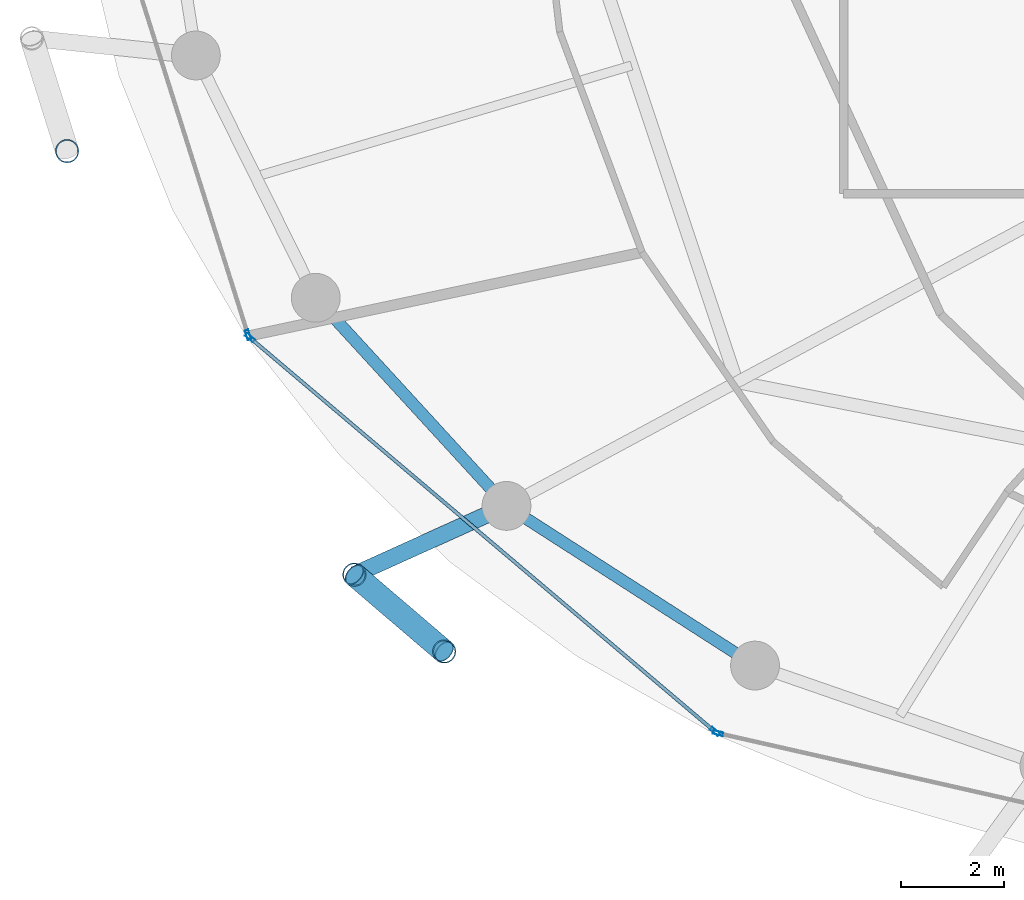
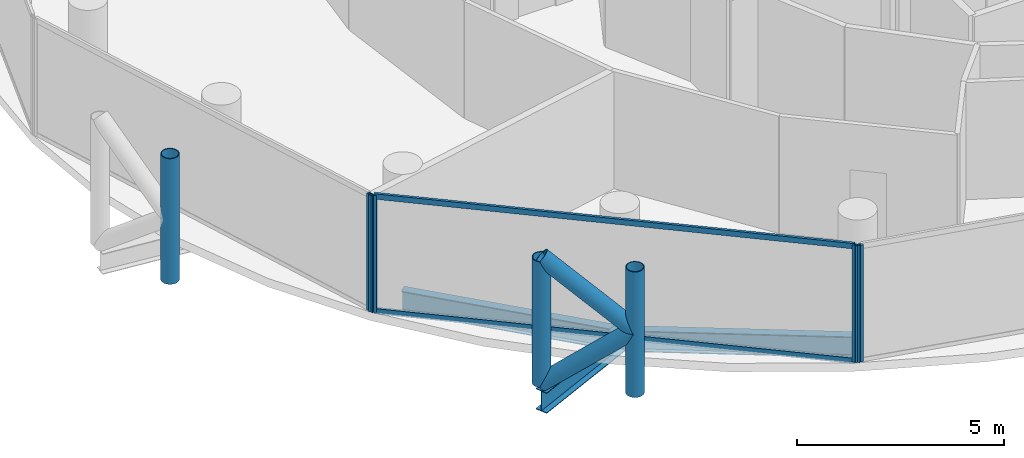
# One storey, part 2 of 26: 11 members, 3 beams, 3 elements without a shape of their own.
"""IFC4 building model written with IfcOpenShell, lengths in metres."""

from ifc_helpers import new_model, si_unit, direction, frame, origin, origin_2d, place, context, subcontext, project, spatial, hollow_rectangle, hollow_circle, i_section, extrude, material, layer, layer_set, material_profile, profile_set, type_object, element, aggregate, save


model = new_model("IFC4")

# Units and contexts
model_context = context("Model", 3, precision=1e-05, world=origin(), true_north=direction((0.0, 1.0)))
body_context = subcontext(model_context, "Body", "Model", "MODEL_VIEW")
ifc_project = project(units=[si_unit("LENGTHUNIT", "METRE"), si_unit("AREAUNIT", "SQUARE_METRE"), si_unit("VOLUMEUNIT", "CUBIC_METRE"), si_unit("PLANEANGLEUNIT", "RADIAN"), si_unit("MASSUNIT", "GRAM", prefix="KILO")], contexts=[model_context])

# Site, building, storey
site_placement = place(None, origin())
site = spatial("IfcSite", under=ifc_project, at=site_placement, CompositionType="ELEMENT")
building_placement = place(site_placement, origin())
building = spatial("IfcBuilding", under=site, at=building_placement, Name="Nuhasar Tower", CompositionType="ELEMENT")
storey_placement = place(building_placement, frame((0.0, 0.0, 188.550048828125)))
storey = spatial("IfcBuildingStorey", under=building, at=storey_placement, Name="L46", CompositionType="ELEMENT", Elevation=188.550048828125)

# Beams
ifc_material_1 = material(Name="Steel S355", Category="steel")
ifc_material_profile_1 = material_profile(ifc_material_1, i_section(OverallWidth=0.22998046875, OverallDepth=0.616943359375, WebThickness=0.01318359375, FlangeThickness=0.022216796875, at=origin_2d()), Name="W24X94")
ifc_profile_set_1 = profile_set([ifc_material_profile_1], Name="Steel S355")
beam_type_1 = type_object("IfcBeamType", Name="BM-RING-W24X94", PredefinedType="SPANDREL", material=ifc_profile_set_1)
beam_1_placement = place(storey_placement, frame((18.778076171875, 17.02490234375, -0.55810546875), z_axis=(0.675676316545, -0.737198423262, 0.0), x_axis=(0.737198423262, 0.675676316545, 0.0)))
element("IfcBeam", 1, at=beam_1_placement, inside=storey, type_object=beam_type_1, Name="L46 Perimeter Ring Spandrel 15", PredefinedType="SPANDREL", context=body_context, shape_type="SweptSolid", body=[
    extrude(i_section(OverallWidth=0.22998046875, OverallDepth=0.616943359375, WebThickness=0.01318359375, FlangeThickness=0.022216796875, at=origin_2d()), origin(), (0.0, 0.0, 1.0), 5.4921875),
])
beam_2_placement = place(storey_placement, frame((22.489013671875, 12.97607421875, -0.55810546875), z_axis=(0.841308170616, -0.540555789955, 0.0), x_axis=(0.540555789955, 0.841308170616, 0.0)))
element("IfcBeam", 2, at=beam_2_placement, inside=storey, type_object=beam_type_1, Name="L46 Perimeter Ring Spandrel 16", PredefinedType="SPANDREL", context=body_context, shape_type="SweptSolid", body=[
    extrude(i_section(OverallWidth=0.22998046875, OverallDepth=0.616943359375, WebThickness=0.01318359375, FlangeThickness=0.022216796875, at=origin_2d()), origin(), (0.0, 0.0, 1.0), 5.748046875),
])
ifc_material_profile_2 = material_profile(ifc_material_1, i_section(OverallWidth=0.323974609375, OverallDepth=0.611083984375, WebThickness=0.0126953125, FlangeThickness=0.01904296875, at=origin_2d()), Name="W24X104")
ifc_profile_set_2 = profile_set([ifc_material_profile_2], Name="Steel S355")
beam_type_2 = type_object("IfcBeamType", Name="BM-TIE-W24X104", PredefinedType="BEAM", material=ifc_profile_set_2)
beam_3_placement = place(storey_placement, frame((22.489013671875, 12.97607421875, -0.554931640625), z_axis=(-0.911211381786, -0.411939094653, 0.0), x_axis=(0.411939094653, -0.911211381786, 0.0)))
element("IfcBeam", 3, at=beam_3_placement, inside=storey, type_object=beam_type_2, Name="L46 Exoskeleton Node Tie Beam 08", PredefinedType="BEAM", context=body_context, shape_type="SweptSolid", body=[
    extrude(i_section(OverallWidth=0.323974609375, OverallDepth=0.611083984375, WebThickness=0.0126953125, FlangeThickness=0.01904296875, at=origin_2d()), origin(), (0.0, 0.0, 1.0), 3.248291015625),
])

# Curtain wall, member
ifc_material_2 = material(Name="Aluminium 6063-T6", Category="aluminium")
ifc_layer = layer(ifc_material_2, 0.199951171875)
ifc_layer_set = layer_set([ifc_layer], Name="Aluminium 6063-T6")
curtain_wall_type = type_object("IfcCurtainWallType", Name="CW-Z2-HTL", PredefinedType="NOTDEFINED", material=ifc_layer_set)
curtain_wall_1_placement = place(storey_placement, origin())
curtain_wall_1 = element("IfcCurtainWall", 4, at=curtain_wall_1_placement, inside=storey, type_object=curtain_wall_type, Name="L46 Unitised Curtain Wall 07", PredefinedType="NOTDEFINED")
ifc_material_profile_3 = material_profile(ifc_material_2, hollow_rectangle(XDim=0.070068359375, YDim=0.199951171875, WallThickness=0.0048828125, at=origin_2d()), Name="CWM-3")
ifc_profile_set_3 = profile_set([ifc_material_profile_3], Name="Aluminium 6063-T6")
member_type_1 = type_object("IfcMemberType", Name="CW-MUL-S3", PredefinedType="MULLION", material=ifc_profile_set_3)
member_1_placement = place(storey_placement, frame((17.46044921875, 16.303466796875, 0.0), z_axis=(0.0, 0.0, 1.0), x_axis=(0.953433389233, 0.301603667577, 0.0)))
member_1 = element("IfcMember", 5, at=member_1_placement, type_object=member_type_1, Name="CW-Z2 mullion 2", PredefinedType="MULLION", context=body_context, shape_type="SweptSolid", body=[
    extrude(hollow_rectangle(XDim=0.070068359375, YDim=0.199951171875, WallThickness=0.0048828125, at=origin_2d()), origin(), (0.0, 0.0, 1.0), 3.449951171875),
])
aggregate(curtain_wall_1, [member_1])

# Curtain wall, members
curtain_wall_2_placement = place(storey_placement, origin())
curtain_wall_2 = element("IfcCurtainWall", 6, at=curtain_wall_2_placement, inside=storey, type_object=curtain_wall_type, Name="L46 Unitised Curtain Wall 08", PredefinedType="NOTDEFINED")
member_2_placement = place(storey_placement, frame((17.497802734375, 16.247314453125, 0.0), z_axis=(0.0, 0.0, 1.0), x_axis=(0.646374438324, 0.763020370292, 0.0)))
member_2 = element("IfcMember", 7, at=member_2_placement, type_object=member_type_1, Name="CW-Z2 mullion 1", PredefinedType="MULLION", context=body_context, shape_type="SweptSolid", body=[
    extrude(hollow_rectangle(XDim=0.070068359375, YDim=0.199951171875, WallThickness=0.0048828125, at=origin_2d()), origin(), (0.0, 0.0, 1.0), 3.449951171875),
])
member_3_placement = place(storey_placement, frame((26.543212890625, 8.584716796875, 0.0), z_axis=(0.0, 0.0, 1.0), x_axis=(0.646374438324, 0.763020370292, 0.0)))
member_3 = element("IfcMember", 8, at=member_3_placement, type_object=member_type_1, Name="CW-Z2 mullion 2", PredefinedType="MULLION", context=body_context, shape_type="SweptSolid", body=[
    extrude(hollow_rectangle(XDim=0.070068359375, YDim=0.199951171875, WallThickness=0.0048828125, at=origin_2d()), origin(), (0.0, 0.0, 1.0), 3.449951171875),
])

# Curtain wall, member
curtain_wall_3_placement = place(storey_placement, origin())
curtain_wall_3 = element("IfcCurtainWall", 9, at=curtain_wall_3_placement, inside=storey, type_object=curtain_wall_type, Name="L46 Unitised Curtain Wall 09", PredefinedType="NOTDEFINED")
member_4_placement = place(storey_placement, frame((26.604248046875, 8.55419921875, 0.0), z_axis=(0.0, 0.0, 1.0), x_axis=(0.22139729566, 0.975183694221, 0.0)))
member_4 = element("IfcMember", 10, at=member_4_placement, type_object=member_type_1, Name="CW-Z2 mullion 1", PredefinedType="MULLION", context=body_context, shape_type="SweptSolid", body=[
    extrude(hollow_rectangle(XDim=0.070068359375, YDim=0.199951171875, WallThickness=0.0048828125, at=origin_2d()), origin(), (0.0, 0.0, 1.0), 3.449951171875),
])
aggregate(curtain_wall_3, [member_4])

# Member
ifc_material_profile_4 = material_profile(ifc_material_2, hollow_rectangle(XDim=0.070068359375, YDim=0.159912109375, WallThickness=0.00439453125, at=origin_2d()), Name="CWT-3")
ifc_profile_set_4 = profile_set([ifc_material_profile_4], Name="Aluminium 6063-T6")
member_type_2 = type_object("IfcMemberType", Name="CW-TRN-S3", PredefinedType="USERDEFINED", material=ifc_profile_set_4)
member_5_placement = place(storey_placement, frame((17.5244140625, 16.224853515625, 0.034912109375), z_axis=(0.763013698099, -0.646382314511, 0.0), x_axis=(0.646382314511, 0.763013698099, 0.0)))
member_5 = element("IfcMember", 11, at=member_5_placement, type_object=member_type_2, Name="CW-Z2 transom 1.1", ObjectType="TRANSOM", PredefinedType="USERDEFINED", context=body_context, shape_type="SweptSolid", body=[
    extrude(hollow_rectangle(XDim=0.070068359375, YDim=0.159912109375, WallThickness=0.00439453125, at=origin_2d()), origin(), (0.0, 0.0, 1.0), 11.78515625),
])

member_6_placement = place(storey_placement, frame((17.5244140625, 16.224853515625, 3.4150390625), z_axis=(0.763013698099, -0.646382314511, 0.0), x_axis=(0.646382314511, 0.763013698099, 0.0)))
member_6 = element("IfcMember", 12, at=member_6_placement, type_object=member_type_2, Name="CW-Z2 transom 1.2", ObjectType="TRANSOM", PredefinedType="USERDEFINED", context=body_context, shape_type="SweptSolid", body=[
    extrude(hollow_rectangle(XDim=0.070068359375, YDim=0.159912109375, WallThickness=0.00439453125, at=origin_2d()), origin(), (0.0, 0.0, 1.0), 11.78515625),
])

aggregate(curtain_wall_2, [member_2, member_3, member_5, member_6])

# Members
ifc_material_3 = material(Name="Steel S460", Category="steel")
ifc_material_profile_5 = material_profile(ifc_material_3, hollow_circle(Radius=0.228515625, WallThickness=0.022216796875, at=origin_2d()), Name="HSS457X22.2")
ifc_profile_set_5 = profile_set([ifc_material_profile_5], Name="Steel S460")
member_type_3 = type_object("IfcMemberType", Name="EXO-BRONZE-457", PredefinedType="BRACE", material=ifc_profile_set_5)
for number, where, z_axis, x_axis, name in (
    (13, (13.93994140625, 19.87890625, 0.0), (0.0, 0.0, 1.0), (1.0, 0.0, 0.0), "L46 Exoskeleton Chord Column EC-07B"),
    (14, (19.529052734375, 11.637939453125, 0.0), (0.0, 0.0, 1.0), (1.0, 0.0, 0.0), "L46 Exoskeleton Chord Column EC-08A"),
    (15, (21.277099609375, 10.14306640625, 0.0), (0.0, 0.0, 1.0), (1.0, 0.0, 0.0), "L46 Exoskeleton Chord Column EC-08B"),
):
    element("IfcMember", number, at=place(storey_placement, frame(where, z_axis=z_axis, x_axis=x_axis)), inside=storey, type_object=member_type_3, Name=name, PredefinedType="BRACE", context=body_context, shape_type="SweptSolid", body=[
        extrude(hollow_circle(Radius=0.228515625, WallThickness=0.022216796875, at=origin_2d()), origin(), (0.0, 0.0, 1.0), 3.699951171875),
    ])
member_7_placement = place(storey_placement, frame((19.529052734375, 11.637939453125, 0.0), z_axis=(0.592225874743, -0.506452378638, 0.626717242029), x_axis=(0.649925557156, 0.7599978751, 0.0)))
element("IfcMember", 16, at=member_7_placement, inside=storey, type_object=member_type_3, Name="L46 Bronze Diagrid Brace W1-08", PredefinedType="BRACE", context=body_context, shape_type="SweptSolid", body=[
    extrude(hollow_circle(Radius=0.228515625, WallThickness=0.022216796875, at=origin_2d()), origin(), (0.0, 0.0, 1.0), 2.95166015625),
])
member_8_placement = place(storey_placement, frame((21.277099609375, 10.14306640625, 1.849853515625), z_axis=(-0.592195175458, 0.506426125604, 0.626767463634), x_axis=(-0.649925557156, -0.7599978751, 0.0)))
element("IfcMember", 17, at=member_8_placement, inside=storey, type_object=member_type_3, Name="L46 Bronze Diagrid Brace W2-08", PredefinedType="BRACE", context=body_context, shape_type="SweptSolid", body=[
    extrude(hollow_circle(Radius=0.228515625, WallThickness=0.022216796875, at=origin_2d()), origin(), (0.0, 0.0, 1.0), 2.951904296875),
])

save(model, "model.ifc")
